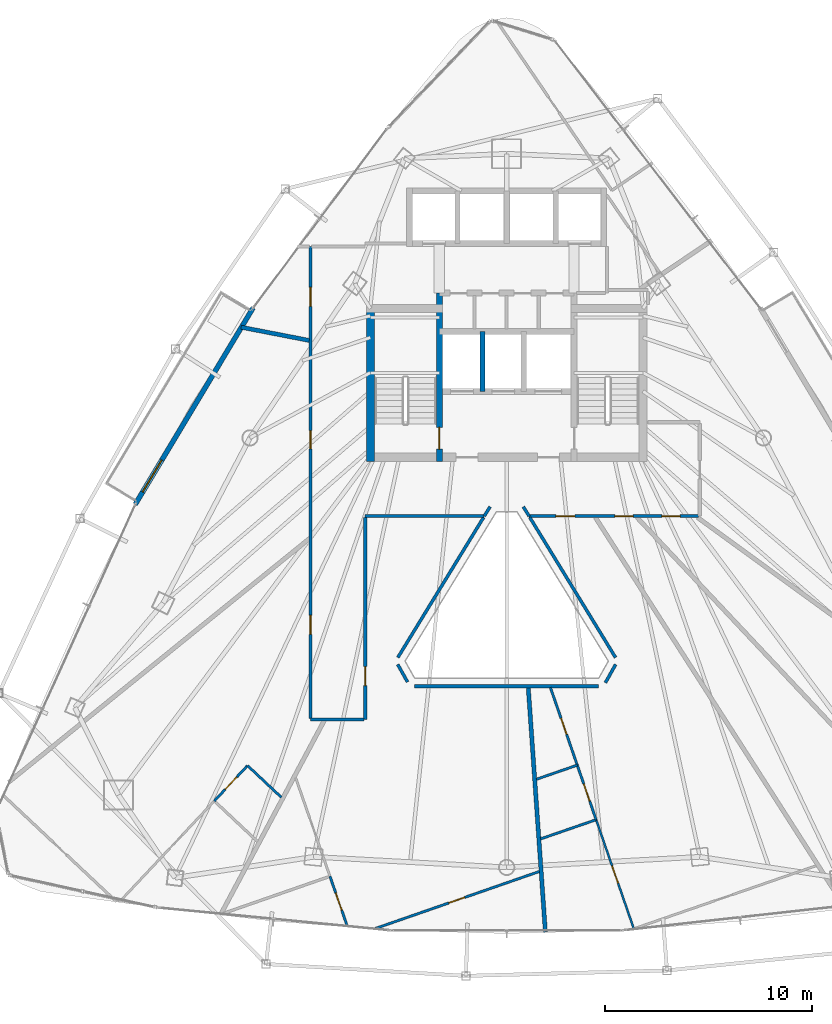
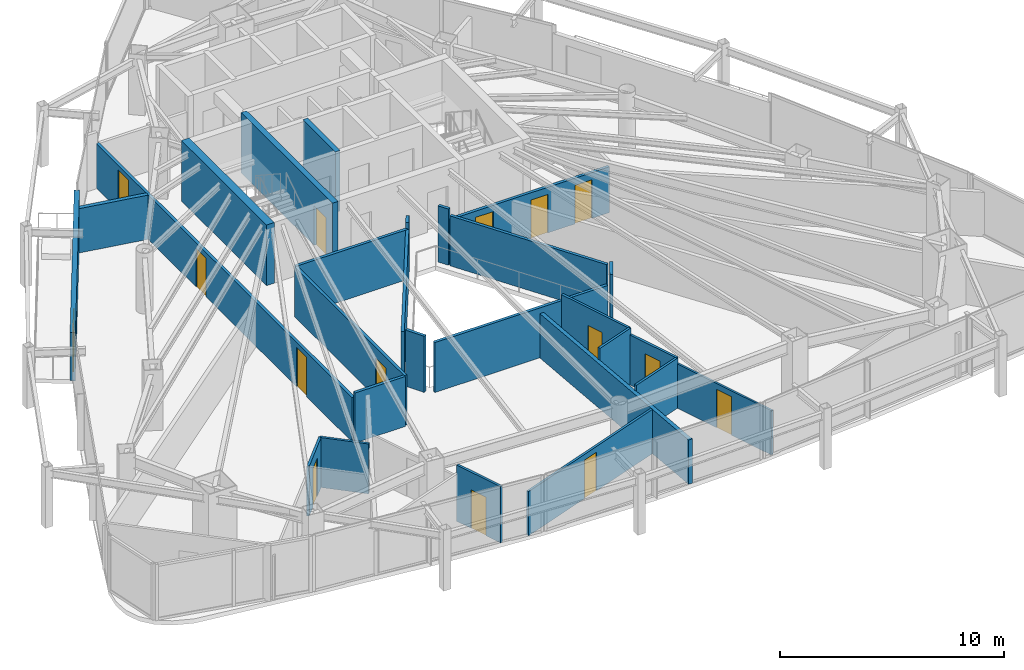
# One storey, part 24 of 29: 27 walls, 15 doors, 15 openings.
"""IFC4 building model written with IfcOpenShell, lengths in metres."""

import ifcopenshell
import ifcopenshell.guid

model = None  # the IFC model being written
_history = None  # IfcOwnerHistory: only IFC2X3 demands one
_inside = {}  # id of a spatial element -> (the spatial element, [elements in it])
_under = {}  # id of a project, library or spatial element -> (it, [spatial elements below it])
_declared = {}  # id of a project -> (the project, [libraries it declares])
_typed = {}  # id of a type object -> (the type object, [elements of that type])
_made_of = {}  # id of a material, layer set ... -> (it, [elements and type objects made of it])


def new_model(schema):
    """Start an empty IFC model of exactly this schema.

    Asked for "IFC4X3", IfcOpenShell would pick the latest addendum, in which some entities
    have other attributes; the version numbers below select the first issue.
    IFC2X3 requires an IfcOwnerHistory on every rooted entity: one is made here for all.
    """
    global model, _history
    if schema == "IFC4X3":
        model = ifcopenshell.file(schema_version=(4, 3, 0, 0))
    else:
        model = ifcopenshell.file(schema=schema)
    _inside.clear()
    _under.clear()
    _declared.clear()
    _typed.clear()
    _made_of.clear()
    _history = None
    if model.schema == "IFC2X3":
        org = make("IfcOrganization", Name="unknown")
        user = make(
            "IfcPersonAndOrganization",
            ThePerson=make("IfcPerson", FamilyName="unknown"),
            TheOrganization=org,
        )
        app = make(
            "IfcApplication",
            ApplicationDeveloper=org,
            Version="unknown",
            ApplicationFullName="unknown",
            ApplicationIdentifier="unknown",
        )
        _history = make(
            "IfcOwnerHistory",
            OwningUser=user,
            OwningApplication=app,
            ChangeAction="ADDED",
            CreationDate=0,
        )
    return model


def make(cls, **values):
    """One entity of the class cls with the attributes given. An attribute that is None is left unset."""
    return model.create_entity(
        cls, **{name: value for name, value in values.items() if value is not None}
    )


def rooted(cls, **values):
    """An entity with a GlobalId (a new one), such as an element, a storey or a relation."""
    return make(cls, GlobalId=ifcopenshell.guid.new(), OwnerHistory=_history, **values)


def si_unit(unit_type, name, prefix=None):
    """IfcSIUnit, for example si_unit("LENGTHUNIT", "METRE", prefix="MILLI")."""
    return make("IfcSIUnit", UnitType=unit_type, Prefix=prefix, Name=name)


def assignment(units):
    """IfcUnitAssignment: the units of a project."""
    return None if units is None else make("IfcUnitAssignment", Units=units)


def point(xyz):
    """IfcCartesianPoint."""
    return None if xyz is None else make("IfcCartesianPoint", Coordinates=xyz)


def direction(xyz):
    """IfcDirection."""
    return None if xyz is None else make("IfcDirection", DirectionRatios=xyz)


def frame(location, z_axis=None, x_axis=None):
    """IfcAxis2Placement3D, a coordinate frame: its origin and axes. An axis left out is left unset."""
    return make(
        "IfcAxis2Placement3D",
        Location=point(location),
        Axis=direction(z_axis),
        RefDirection=direction(x_axis),
    )


def frame_2d(location, x_axis=None):
    """IfcAxis2Placement2D, a coordinate frame in the plane: its origin and x axis."""
    return make(
        "IfcAxis2Placement2D", Location=point(location), RefDirection=direction(x_axis)
    )


def origin():
    """The frame at (0, 0, 0) with its axes left unset."""
    return frame((0.0, 0.0, 0.0))


def place(relative_to, where):
    """IfcLocalPlacement: puts the frame where relative to a parent placement (None: the world)."""
    return make(
        "IfcLocalPlacement", PlacementRelTo=relative_to, RelativePlacement=where
    )


def context(
    kind, dimensions, precision=None, world=None, true_north=None, identifier=None
):
    """IfcGeometricRepresentationContext, for example the 3D "Model" context."""
    return make(
        "IfcGeometricRepresentationContext",
        ContextIdentifier=identifier,
        ContextType=kind,
        CoordinateSpaceDimension=dimensions,
        Precision=precision,
        WorldCoordinateSystem=world,
        TrueNorth=true_north,
    )


def subcontext(parent, identifier, kind, view, scale=None):
    """IfcGeometricRepresentationSubContext, for example "Body" below "Model"."""
    return make(
        "IfcGeometricRepresentationSubContext",
        ContextIdentifier=identifier,
        ContextType=kind,
        ParentContext=parent,
        TargetScale=scale,
        TargetView=view,
    )


def project(units=None, contexts=None):
    """IfcProject with its units and contexts."""
    return rooted(
        "IfcProject",
        Name="project",
        RepresentationContexts=contexts,
        UnitsInContext=assignment(units),
    )


def spatial(cls, under=None, at=None, **own):
    """A site, building, storey or space (cls), placed at a placement, below another one or the project."""
    s = rooted(cls, ObjectPlacement=at, **own)
    if under is not None:
        _under.setdefault(under.id(), (under, []))[1].append(s)
    return s


def profile(cls, at=None, kind="AREA", **sizes):
    """A parametric profile (cls). Its sizes go by their IFC names, for example OverallWidth=200.0."""
    return make(cls, ProfileType=kind, Position=at, **sizes)


def rectangle(**sizes):
    """IfcRectangleProfileDef."""
    return profile("IfcRectangleProfileDef", **sizes)


def extrude(swept, where, along, depth):
    """IfcExtrudedAreaSolid: the profile swept, set in the frame where, extruded along a direction by depth."""
    return make(
        "IfcExtrudedAreaSolid",
        SweptArea=swept,
        Position=where,
        ExtrudedDirection=direction(along),
        Depth=depth,
    )


def shape(context_of_items, identifier, shape_type, items):
    """IfcShapeRepresentation: the items that make up one representation, for example the "Body"."""
    return make(
        "IfcShapeRepresentation",
        ContextOfItems=context_of_items,
        RepresentationIdentifier=identifier,
        RepresentationType=shape_type,
        Items=items,
    )


def material(Name=None, Category=None):
    """IfcMaterial."""
    return make("IfcMaterial", Name=Name, Category=Category)


def layer(
    of_material, thickness, ventilated=None, Name=None, Category=None, Priority=None
):
    """IfcMaterialLayer: one layer of a wall or slab, of a material (None: an air gap)."""
    return make(
        "IfcMaterialLayer",
        Material=of_material,
        LayerThickness=thickness,
        IsVentilated=ventilated,
        Name=Name,
        Category=Category,
        Priority=Priority,
    )


def layer_set(layers, Name=None):
    """IfcMaterialLayerSet."""
    return make("IfcMaterialLayerSet", MaterialLayers=layers, LayerSetName=Name)


def made_of(thing, what):
    """Note that an element or type object is made of a material, layer set ...; save() writes the relation."""
    if what is not None:
        _made_of.setdefault(what.id(), (what, []))[1].append(thing)
    return thing


def type_object(cls, material=None, **own):
    """A type object (cls), such as IfcWallType, which elements share."""
    return made_of(rooted(cls, **own), material)


def element(
    cls,
    number,
    at=None,
    inside=None,
    cuts=None,
    type_object=None,
    material=None,
    context=None,
    identifier="Body",
    shape_type=None,
    held_by="IfcProductDefinitionShape",
    body=None,
    shapes=None,
    **own,
):
    """One element of the class cls, such as IfcWall. Its Tag is "e" and its number.

    at: its placement. inside: the storey or other place that contains it. cuts: it is an
    opening in that element (IfcRelVoidsElement). A single representation is given by context,
    identifier, shape_type and body (its items); several are given by shapes. held_by: the class
    of the entity that holds the representations. save() writes the other relations.
    """
    e = rooted(cls, Tag="e%d" % number, ObjectPlacement=at, **own)
    if body is not None:
        shapes = [shape(context, identifier, shape_type, body)]
    if shapes is not None:
        e.Representation = make(held_by, Representations=shapes)
    if inside is not None:
        _inside.setdefault(inside.id(), (inside, []))[1].append(e)
    if cuts is not None:
        rooted(
            "IfcRelVoidsElement", RelatingBuildingElement=cuts, RelatedOpeningElement=e
        )
    if type_object is not None:
        _typed.setdefault(type_object.id(), (type_object, []))[1].append(e)
    return made_of(e, material)


def fill(opening, filler):
    """IfcRelFillsElement: the door or window that sits in an opening."""
    return rooted(
        "IfcRelFillsElement",
        RelatingOpeningElement=opening,
        RelatedBuildingElement=filler,
    )


def aggregate(whole, parts):
    """IfcRelAggregates: a whole, such as a stair, and the parts it consists of."""
    return rooted("IfcRelAggregates", RelatingObject=whole, RelatedObjects=parts)


def save(model, path):
    """Write the relations noted so far, then the file.

    IfcRelAggregates (storeys below a building ...), IfcRelContainedInSpatialStructure (elements
    in a storey), IfcRelDefinesByType, IfcRelAssociatesMaterial and IfcRelDeclares: one each for
    every whole, place, type object, material and project.
    """
    for whole, parts in _under.values():
        aggregate(whole, parts)
    for where, things in _inside.values():
        rooted(
            "IfcRelContainedInSpatialStructure",
            RelatedElements=things,
            RelatingStructure=where,
        )
    for kind, things in _typed.values():
        rooted("IfcRelDefinesByType", RelatedObjects=things, RelatingType=kind)
    for what, things in _made_of.values():
        rooted("IfcRelAssociatesMaterial", RelatedObjects=things, RelatingMaterial=what)
    for by, libraries in _declared.values():
        rooted("IfcRelDeclares", RelatingContext=by, RelatedDefinitions=libraries)
    model.write(path)


model = new_model("IFC4")

# Units and contexts
model_context = context("Model", 3, precision=1e-05, world=origin(), true_north=direction((0.0, 1.0)))
body_context = subcontext(model_context, "Body", "Model", "MODEL_VIEW")
ifc_project = project(units=[si_unit("LENGTHUNIT", "METRE"), si_unit("AREAUNIT", "SQUARE_METRE"), si_unit("VOLUMEUNIT", "CUBIC_METRE"), si_unit("PLANEANGLEUNIT", "RADIAN"), si_unit("MASSUNIT", "GRAM", prefix="KILO")], contexts=[model_context])

# Site, building, storey
site_placement = place(None, origin())
site = spatial("IfcSite", under=ifc_project, at=site_placement, CompositionType="ELEMENT")
building_placement = place(site_placement, origin())
building = spatial("IfcBuilding", under=site, at=building_placement, Name="Orvanel Arch Residences", CompositionType="ELEMENT")
storey_placement = place(building_placement, frame((0.0, 0.0, 160.550048828125)))
storey = spatial("IfcBuildingStorey", under=building, at=storey_placement, Name="L45", CompositionType="ELEMENT", Elevation=160.550048828125)

# Wall, opening, door
ifc_material_1 = material(Name="Precast concrete N50 (50 MPa)", Category="concrete")
ifc_layer_1 = layer(ifc_material_1, 0.239990234375)
ifc_layer_set_1 = layer_set([ifc_layer_1], Name="Precast concrete N50 (50 MPa)")
wall_type_1 = type_object("IfcWallType", Name="EW-BAL-240", PredefinedType="SOLIDWALL", material=ifc_layer_set_1)
wall_1_placement = place(storey_placement, frame((20.721923828125, 33.93994140625, 0.0), z_axis=(0.0, 0.0, 1.0), x_axis=(-0.514334017412, -0.85758994778, 0.0)))
wall_1 = element("IfcWall", 1, at=wall_1_placement, inside=storey, type_object=wall_type_1, Name="L45 Balcony Threshold Wall Face 1", PredefinedType="SOLIDWALL", context=body_context, shape_type="SweptSolid", body=[
    extrude(rectangle(XDim=11.099853515625, YDim=0.239990234375, at=frame_2d((5.5498046875, 0.0))), origin(), (0.0, 0.0, 1.0), 2.6240234375),
])
opening_1_placement = place(wall_1_placement, frame((8.60205078125, 0.0, 0.0)))
opening_1 = element("IfcOpeningElement", 2, at=opening_1_placement, cuts=wall_1, Name="Opening DB-180", PredefinedType="OPENING", context=body_context, shape_type="SweptSolid", body=[
    extrude(rectangle(XDim=1.800048828125, YDim=2.199951171875, at=frame_2d((0.89990234375, 1.10009765625))), frame((0.0, 0.1298828125, 0.0), z_axis=(0.0, -1.0, 0.0), x_axis=(1.0, 0.0, 0.0)), (0.0, 0.0, 1.0), 0.260009765625),
])
ifc_material_2 = material(Name="Bronze-anodised aluminium AA6063-T6", Category="aluminium")
door_type_1 = type_object("IfcDoorType", Name="DR-BAL-1800", OperationType="NOTDEFINED", PredefinedType="DOOR", material=ifc_material_2)
door_1_placement = place(opening_1_placement, origin())
door_1 = element("IfcDoor", 3, at=door_1_placement, inside=storey, type_object=door_type_1, Name="DR-L45-BAL-F1 L45 Planted Balcony Access Door Face 1", OperationType="SINGLE_SWING_LEFT", OverallHeight=2.199951171875, OverallWidth=1.800048828125, PredefinedType="DOOR", context=body_context, shape_type="SweptSolid", body=[
    extrude(rectangle(XDim=1.800048828125, YDim=2.199951171875, at=frame_2d((0.89990234375, 1.10009765625))), frame((0.0, 0.02490234375, 0.0), z_axis=(0.0, -1.0, 0.0), x_axis=(1.0, 0.0, 0.0)), (0.0, 0.0, 1.0), 0.050048828125),
])
fill(opening_1, door_1)

# Wall
ifc_material_3 = material(Name="Concrete N50 (50 MPa)", Category="concrete")
ifc_layer_2 = layer(ifc_material_3, 0.25)
ifc_layer_set_2 = layer_set([ifc_layer_2], Name="Concrete N50 (50 MPa)")
wall_type_2 = type_object("IfcWallType", Name="SW-CORE-250", PredefinedType="SHEAR", material=ifc_layer_set_2)
wall_2_placement = place(storey_placement, frame((31.824951171875, 29.889892578125, 0.0), z_axis=(0.0, 0.0, 1.0), x_axis=(0.0, 1.0, 0.0)))
element("IfcWall", 4, at=wall_2_placement, inside=storey, type_object=wall_type_2, Name="L45 Emergency Lift Inter-Shaft Wall F12", PredefinedType="SHEAR", context=body_context, shape_type="SweptSolid", body=[
    extrude(rectangle(XDim=2.900146484375, YDim=0.25, at=frame_2d((1.4501953125, 0.0))), origin(), (0.0, 0.0, 1.0), 3.300048828125),
])

# Wall, opening, door
ifc_material_4 = material(Name="Concrete S65 (65 MPa)", Category="concrete")
ifc_layer_3 = layer(ifc_material_4, 0.280029296875)
ifc_layer_set_3 = layer_set([ifc_layer_3], Name="Concrete S65 (65 MPa)")
wall_type_3 = type_object("IfcWallType", Name="SW-CORE-280", PredefinedType="SHEAR", material=ifc_layer_set_3)
wall_3_placement = place(storey_placement, frame((29.739990234375, 26.5, 0.0), z_axis=(0.0, 0.0, 1.0), x_axis=(0.0, 1.0, 0.0)))
wall_3 = element("IfcWall", 5, at=wall_3_placement, inside=storey, type_object=wall_type_3, Name="L45 West Inner Core Spine Shear Wall", PredefinedType="SHEAR", context=body_context, shape_type="SweptSolid", body=[
    extrude(rectangle(XDim=8.14990234375, YDim=0.280029296875, at=frame_2d((4.074951171875, 0.0))), origin(), (0.0, 0.0, 1.0), 3.300048828125),
])
opening_2_placement = place(wall_3_placement, frame((0.60009765625, 0.0, 0.0)))
opening_2 = element("IfcOpeningElement", 6, at=opening_2_placement, cuts=wall_3, Name="Opening DF-120", PredefinedType="OPENING", context=body_context, shape_type="SweptSolid", body=[
    extrude(rectangle(XDim=1.050048828125, YDim=2.14990234375, at=frame_2d((0.52490234375, 1.074951171875))), frame((0.0, 0.14990234375, 0.0), z_axis=(0.0, -1.0, 0.0), x_axis=(1.0, 0.0, 0.0)), (0.0, 0.0, 1.0), 0.300048828125),
])
ifc_material_5 = material(Name="Galvanised steel fire-resisting door assembly", Category="steel")
door_type_2 = type_object("IfcDoorType", Name="DR-FD120-1050", OperationType="NOTDEFINED", PredefinedType="DOOR", material=ifc_material_5)
door_2_placement = place(opening_2_placement, origin())
door_2 = element("IfcDoor", 7, at=door_2_placement, inside=storey, type_object=door_type_2, Name="DR-L45-ST1 L45 Stair 1 Fire Door", OperationType="SINGLE_SWING_LEFT", OverallHeight=2.14990234375, OverallWidth=1.050048828125, PredefinedType="DOOR", context=body_context, shape_type="SweptSolid", body=[
    extrude(rectangle(XDim=1.050048828125, YDim=2.14990234375, at=frame_2d((0.52490234375, 1.074951171875))), frame((0.0, 0.02490234375, 0.0), z_axis=(0.0, -1.0, 0.0), x_axis=(1.0, 0.0, 0.0)), (0.0, 0.0, 1.0), 0.050048828125),
])
fill(opening_2, door_2)

# Walls
ifc_layer_4 = layer(ifc_material_4, 0.39990234375)
ifc_layer_set_4 = layer_set([ifc_layer_4], Name="Concrete S65 (65 MPa)")
wall_type_4 = type_object("IfcWallType", Name="SW-CORE-400", PredefinedType="SHEAR", material=ifc_layer_set_4)
wall_4_placement = place(storey_placement, frame((26.39990234375, 26.5, 0.0), z_axis=(0.0, 0.0, 1.0), x_axis=(0.0, 1.0, 0.0)))
element("IfcWall", 8, at=wall_4_placement, inside=storey, type_object=wall_type_4, Name="L45 West Stair Shear Wall", PredefinedType="SHEAR", context=body_context, shape_type="SweptSolid", body=[
    extrude(rectangle(XDim=7.60009765625, YDim=0.39990234375, at=frame_2d((3.800048828125, 0.0))), origin(), (0.0, 0.0, 1.0), 3.300048828125),
])
ifc_material_6 = material(Name="Fire-rated plasterboard lined steel stud partition", Category="steel")
ifc_layer_5 = layer(ifc_material_6, 0.14990234375)
ifc_layer_set_5 = layer_set([ifc_layer_5], Name="Fire-rated plasterboard lined steel stud partition")
wall_type_5 = type_object("IfcWallType", Name="W-COR-150", PredefinedType="PARTITIONING", material=ifc_layer_set_5)
wall_5_placement = place(storey_placement, frame((32.197021484375, 24.305908203125, 0.0), z_axis=(0.0, 0.0, 1.0), x_axis=(-0.530039765459, -0.847972786728, 0.0)))
element("IfcWall", 9, at=wall_5_placement, inside=storey, type_object=wall_type_5, Name="L45 Corridor Fire-Rated Partition", PredefinedType="PARTITIONING", context=body_context, shape_type="SweptSolid", body=[
    extrude(rectangle(XDim=0.53759765625, YDim=0.14990234375, at=frame_2d((0.268798828125, 0.0))), origin(), (0.0, 0.0, 1.0), 3.06005859375),
])
wall_6_placement = place(storey_placement, frame((31.912109375, 23.85009765625, 0.0), z_axis=(0.0, 0.0, 1.0), x_axis=(-1.0, 0.0, 0.0)))
element("IfcWall", 10, at=wall_6_placement, inside=storey, type_object=wall_type_5, Name="L45 Corridor Fire-Rated Partition", PredefinedType="PARTITIONING", context=body_context, shape_type="SweptSolid", body=[
    extrude(rectangle(XDim=5.76220703125, YDim=0.14990234375, at=frame_2d((2.881103515625, 0.0))), origin(), (0.0, 0.0, 1.0), 2.720947265625),
])

# Wall, opening, door
wall_7_placement = place(storey_placement, frame((26.14990234375, 23.7900390625, 0.0), z_axis=(0.0, 0.0, 1.0), x_axis=(0.0, -1.0, 0.0)))
wall_7 = element("IfcWall", 11, at=wall_7_placement, inside=storey, type_object=wall_type_5, Name="L45 Corridor Fire-Rated Partition", PredefinedType="PARTITIONING", context=body_context, shape_type="SweptSolid", body=[
    extrude(rectangle(XDim=9.7900390625, YDim=0.14990234375, at=frame_2d((4.89501953125, 0.0))), origin(), (0.0, 0.0, 1.0), 2.720947265625),
])
opening_3_placement = place(wall_7_placement, frame((7.220947265625, 0.0, 0.0)))
opening_3 = element("IfcOpeningElement", 12, at=opening_3_placement, cuts=wall_7, Name="Opening DA-092", PredefinedType="OPENING", context=body_context, shape_type="SweptSolid", body=[
    extrude(rectangle(XDim=0.919921875, YDim=2.14990234375, at=frame_2d((0.4599609375, 1.074951171875))), frame((0.0, 0.0849609375, 0.0), z_axis=(0.0, -1.0, 0.0), x_axis=(1.0, 0.0, 0.0)), (0.0, 0.0, 1.0), 0.169921875),
])
ifc_material_7 = material(Name="Solid-core European oak veneer fire door leaf", Category="wood")
door_type_3 = type_object("IfcDoorType", Name="DR-APT-920", OperationType="NOTDEFINED", PredefinedType="DOOR", material=ifc_material_7)
door_3_placement = place(opening_3_placement, origin())
door_3 = element("IfcDoor", 13, at=door_3_placement, inside=storey, type_object=door_type_3, Name="DR-L45-B-ENT L45 Studio B Entrance Door", OperationType="SINGLE_SWING_LEFT", OverallHeight=2.14990234375, OverallWidth=0.919921875, PredefinedType="DOOR", context=body_context, shape_type="SweptSolid", body=[
    extrude(rectangle(XDim=0.919921875, YDim=2.14990234375, at=frame_2d((0.4599609375, 1.074951171875))), frame((0.0, 0.02490234375, 0.0), z_axis=(0.0, -1.0, 0.0), x_axis=(1.0, 0.0, 0.0)), (0.0, 0.0, 1.0), 0.050048828125),
])
fill(opening_3, door_3)

# Wall
wall_8_placement = place(storey_placement, frame((26.090087890625, 14.0, 0.0), z_axis=(0.0, 0.0, 1.0), x_axis=(-1.0, 0.0, 0.0)))
element("IfcWall", 14, at=wall_8_placement, inside=storey, type_object=wall_type_5, Name="L45 Corridor Fire-Rated Partition", PredefinedType="PARTITIONING", context=body_context, shape_type="SweptSolid", body=[
    extrude(rectangle(XDim=2.590087890625, YDim=0.14990234375, at=frame_2d((1.294921875, 0.0))), origin(), (0.0, 0.0, 1.0), 2.720947265625),
])

# Wall, openings, doors
wall_9_placement = place(storey_placement, frame((23.5, 14.06005859375, 0.0), z_axis=(0.0, 0.0, 1.0), x_axis=(0.0, 1.0, 0.0)))
wall_9 = element("IfcWall", 15, at=wall_9_placement, inside=storey, type_object=wall_type_5, Name="L45 Corridor Fire-Rated Partition", PredefinedType="PARTITIONING", context=body_context, shape_type="SweptSolid", body=[
    extrude(rectangle(XDim=22.83984375, YDim=0.14990234375, at=frame_2d((11.419921875, 0.0))), origin(), (0.0, 0.0, 1.0), 2.412841796875),
])
opening_4_placement = place(wall_9_placement, frame((4.06396484375, 0.0, 0.0)))
opening_4 = element("IfcOpeningElement", 16, at=opening_4_placement, cuts=wall_9, Name="Opening DA-092", PredefinedType="OPENING", context=body_context, shape_type="SweptSolid", body=[
    extrude(rectangle(XDim=0.919921875, YDim=2.14990234375, at=frame_2d((0.4599609375, 1.074951171875))), frame((0.0, 0.0849609375, 0.0), z_axis=(0.0, -1.0, 0.0), x_axis=(1.0, 0.0, 0.0)), (0.0, 0.0, 1.0), 0.169921875),
])
opening_5_placement = place(wall_9_placement, frame((13.047119140625, 0.0, 0.0)))
opening_5 = element("IfcOpeningElement", 17, at=opening_5_placement, cuts=wall_9, Name="Opening DI-088", PredefinedType="OPENING", context=body_context, shape_type="SweptSolid", body=[
    extrude(rectangle(XDim=0.8798828125, YDim=2.10009765625, at=frame_2d((0.43994140625, 1.050048828125))), frame((0.0, 0.0849609375, 0.0), z_axis=(0.0, -1.0, 0.0), x_axis=(1.0, 0.0, 0.0)), (0.0, 0.0, 1.0), 0.169921875),
])
opening_6_placement = place(wall_9_placement, frame((19.952880859375, 0.0, 0.0)))
opening_6 = element("IfcOpeningElement", 18, at=opening_6_placement, cuts=wall_9, Name="Opening DA-092", PredefinedType="OPENING", context=body_context, shape_type="SweptSolid", body=[
    extrude(rectangle(XDim=0.919921875, YDim=2.14990234375, at=frame_2d((0.4599609375, 1.074951171875))), frame((0.0, 0.0849609375, 0.0), z_axis=(0.0, -1.0, 0.0), x_axis=(1.0, 0.0, 0.0)), (0.0, 0.0, 1.0), 0.169921875),
])
door_4_placement = place(opening_4_placement, origin())
door_4 = element("IfcDoor", 19, at=door_4_placement, inside=storey, type_object=door_type_3, Name="DR-L45-C-ENT L45 Flat C Entrance Door", OperationType="SINGLE_SWING_RIGHT", OverallHeight=2.14990234375, OverallWidth=0.919921875, PredefinedType="DOOR", context=body_context, shape_type="SweptSolid", body=[
    extrude(rectangle(XDim=0.919921875, YDim=2.14990234375, at=frame_2d((0.4599609375, 1.074951171875))), frame((0.0, 0.02490234375, 0.0), z_axis=(0.0, -1.0, 0.0), x_axis=(1.0, 0.0, 0.0)), (0.0, 0.0, 1.0), 0.050048828125),
])
fill(opening_4, door_4)
door_5_placement = place(opening_6_placement, origin())
door_5 = element("IfcDoor", 20, at=door_5_placement, inside=storey, type_object=door_type_3, Name="DR-L45-F-ENT L45 Studio F Entrance Door", OperationType="SINGLE_SWING_LEFT", OverallHeight=2.14990234375, OverallWidth=0.919921875, PredefinedType="DOOR", context=body_context, shape_type="SweptSolid", body=[
    extrude(rectangle(XDim=0.919921875, YDim=2.14990234375, at=frame_2d((0.4599609375, 1.074951171875))), frame((0.0, 0.02490234375, 0.0), z_axis=(0.0, -1.0, 0.0), x_axis=(1.0, 0.0, 0.0)), (0.0, 0.0, 1.0), 0.050048828125),
])
fill(opening_6, door_5)
door_type_4 = type_object("IfcDoorType", Name="DR-INT-880", OperationType="NOTDEFINED", PredefinedType="DOOR", material=ifc_material_7)
door_6_placement = place(opening_5_placement, origin())
door_6 = element("IfcDoor", 21, at=door_6_placement, inside=storey, type_object=door_type_4, Name="DR-L45-SHRD-FB5 L45 Co-Working Study Office E Door", OperationType="SINGLE_SWING_LEFT", OverallHeight=2.10009765625, OverallWidth=0.8798828125, PredefinedType="DOOR", context=body_context, shape_type="SweptSolid", body=[
    extrude(rectangle(XDim=0.8798828125, YDim=2.10009765625, at=frame_2d((0.43994140625, 1.050048828125))), frame((0.0, 0.02490234375, 0.0), z_axis=(0.0, -1.0, 0.0), x_axis=(1.0, 0.0, 0.0)), (0.0, 0.0, 1.0), 0.050048828125),
])
fill(opening_5, door_6)

wall_10_placement = place(storey_placement, frame((42.2900390625, 23.85009765625, 0.0), z_axis=(0.0, 0.0, 1.0), x_axis=(-1.0, 0.0, 0.0)))
wall_10 = element("IfcWall", 22, at=wall_10_placement, inside=storey, type_object=wall_type_5, Name="L45 Corridor Fire-Rated Partition", PredefinedType="PARTITIONING", context=body_context, shape_type="SweptSolid", body=[
    extrude(rectangle(XDim=8.2021484375, YDim=0.14990234375, at=frame_2d((4.10107421875, 0.0))), origin(), (0.0, 0.0, 1.0), 2.491943359375),
])
opening_7_placement = place(wall_10_placement, frame((5.987060546875, 0.0, 0.0)))
opening_7 = element("IfcOpeningElement", 23, at=opening_7_placement, cuts=wall_10, Name="Opening DA-092", PredefinedType="OPENING", context=body_context, shape_type="SweptSolid", body=[
    extrude(rectangle(XDim=0.919921875, YDim=2.14990234375, at=frame_2d((0.4599609375, 1.074951171875))), frame((0.0, 0.0849609375, 0.0), z_axis=(0.0, -1.0, 0.0), x_axis=(1.0, 0.0, 0.0)), (0.0, 0.0, 1.0), 0.169921875),
])
opening_8_placement = place(wall_10_placement, frame((0.89404296875, 0.0, 0.0)))
opening_8 = element("IfcOpeningElement", 24, at=opening_8_placement, cuts=wall_10, Name="Opening DI-088", PredefinedType="OPENING", context=body_context, shape_type="SweptSolid", body=[
    extrude(rectangle(XDim=0.8798828125, YDim=2.10009765625, at=frame_2d((0.43994140625, 1.050048828125))), frame((0.0, 0.0849609375, 0.0), z_axis=(0.0, -1.0, 0.0), x_axis=(1.0, 0.0, 0.0)), (0.0, 0.0, 1.0), 0.169921875),
])
opening_9_placement = place(wall_10_placement, frame((3.1689453125, 0.0, 0.0)))
opening_9 = element("IfcOpeningElement", 25, at=opening_9_placement, cuts=wall_10, Name="Opening DI-088", PredefinedType="OPENING", context=body_context, shape_type="SweptSolid", body=[
    extrude(rectangle(XDim=0.8798828125, YDim=2.10009765625, at=frame_2d((0.43994140625, 1.050048828125))), frame((0.0, 0.0849609375, 0.0), z_axis=(0.0, -1.0, 0.0), x_axis=(1.0, 0.0, 0.0)), (0.0, 0.0, 1.0), 0.169921875),
])
door_7_placement = place(opening_7_placement, origin())
door_7 = element("IfcDoor", 26, at=door_7_placement, inside=storey, type_object=door_type_3, Name="DR-L45-A-ENT L45 Flat A Entrance Door", OperationType="SINGLE_SWING_RIGHT", OverallHeight=2.14990234375, OverallWidth=0.919921875, PredefinedType="DOOR", context=body_context, shape_type="SweptSolid", body=[
    extrude(rectangle(XDim=0.919921875, YDim=2.14990234375, at=frame_2d((0.4599609375, 1.074951171875))), frame((0.0, 0.02490234375, 0.0), z_axis=(0.0, -1.0, 0.0), x_axis=(1.0, 0.0, 0.0)), (0.0, 0.0, 1.0), 0.050048828125),
])
fill(opening_7, door_7)
door_8_placement = place(opening_8_placement, origin())
door_8 = element("IfcDoor", 27, at=door_8_placement, inside=storey, type_object=door_type_4, Name="DR-L45-SHRD-FB7 L45 Co-Working Study Office G Door", OperationType="SINGLE_SWING_LEFT", OverallHeight=2.10009765625, OverallWidth=0.8798828125, PredefinedType="DOOR", context=body_context, shape_type="SweptSolid", body=[
    extrude(rectangle(XDim=0.8798828125, YDim=2.10009765625, at=frame_2d((0.43994140625, 1.050048828125))), frame((0.0, 0.02490234375, 0.0), z_axis=(0.0, -1.0, 0.0), x_axis=(1.0, 0.0, 0.0)), (0.0, 0.0, 1.0), 0.050048828125),
])
fill(opening_8, door_8)
door_9_placement = place(opening_9_placement, origin())
door_9 = element("IfcDoor", 28, at=door_9_placement, inside=storey, type_object=door_type_4, Name="DR-L45-SHRD-FB8 L45 Co-Working Study Office H Door", OperationType="SINGLE_SWING_LEFT", OverallHeight=2.10009765625, OverallWidth=0.8798828125, PredefinedType="DOOR", context=body_context, shape_type="SweptSolid", body=[
    extrude(rectangle(XDim=0.8798828125, YDim=2.10009765625, at=frame_2d((0.43994140625, 1.050048828125))), frame((0.0, 0.02490234375, 0.0), z_axis=(0.0, -1.0, 0.0), x_axis=(1.0, 0.0, 0.0)), (0.0, 0.0, 1.0), 0.050048828125),
])
fill(opening_9, door_9)

# Walls
wall_11_placement = place(storey_placement, frame((34.087890625, 23.85009765625, 0.0), z_axis=(0.0, 0.0, 1.0), x_axis=(-0.530039765459, 0.847972786728, 0.0)))
element("IfcWall", 29, at=wall_11_placement, inside=storey, type_object=wall_type_5, Name="L45 Corridor Fire-Rated Partition", PredefinedType="PARTITIONING", context=body_context, shape_type="SweptSolid", body=[
    extrude(rectangle(XDim=0.53759765625, YDim=0.14990234375, at=frame_2d((0.268798828125, 0.0))), origin(), (0.0, 0.0, 1.0), 3.06005859375),
])
wall_12_placement = place(storey_placement, frame((34.118896484375, 23.7900390625, 0.0), z_axis=(0.0, 0.0, 1.0), x_axis=(0.521942869651, -0.852980445744, 0.0)))
element("IfcWall", 30, at=wall_12_placement, inside=storey, type_object=wall_type_5, Name="L45 Atrium Overlook Glazed Partition", PredefinedType="PARTITIONING", context=body_context, shape_type="SweptSolid", body=[
    extrude(rectangle(XDim=7.953125, YDim=0.14990234375, at=frame_2d((3.9765625, 0.0))), origin(), (0.0, 0.0, 1.0), 2.720947265625),
])
wall_13_placement = place(storey_placement, frame((38.27587890625, 16.669921875, 0.0), z_axis=(0.0, 0.0, 1.0), x_axis=(-0.489067077696, -0.872246177127, 0.0)))
element("IfcWall", 31, at=wall_13_placement, inside=storey, type_object=wall_type_5, Name="L45 Atrium Overlook Glazed Partition", PredefinedType="PARTITIONING", context=body_context, shape_type="SweptSolid", body=[
    extrude(rectangle(XDim=1.009765625, YDim=0.14990234375, at=frame_2d((0.5048828125, 0.0))), origin(), (0.0, 0.0, 1.0), 3.06005859375),
])
wall_14_placement = place(storey_placement, frame((37.452880859375, 15.616943359375, 0.0), z_axis=(0.0, 0.0, 1.0), x_axis=(-1.0, 0.0, 0.0)))
element("IfcWall", 32, at=wall_14_placement, inside=storey, type_object=wall_type_5, Name="L45 Atrium Overlook Glazed Partition", PredefinedType="PARTITIONING", context=body_context, shape_type="SweptSolid", body=[
    extrude(rectangle(XDim=8.90576171875, YDim=0.14990234375, at=frame_2d((4.452880859375, 0.0))), origin(), (0.0, 0.0, 1.0), 2.720947265625),
])
wall_15_placement = place(storey_placement, frame((28.197998046875, 15.821044921875, 0.0), z_axis=(0.0, 0.0, 1.0), x_axis=(-0.487432951818, 0.873160419099, 0.0)))
element("IfcWall", 33, at=wall_15_placement, inside=storey, type_object=wall_type_5, Name="L45 Atrium Overlook Glazed Partition", PredefinedType="PARTITIONING", context=body_context, shape_type="SweptSolid", body=[
    extrude(rectangle(XDim=0.97216796875, YDim=0.14990234375, at=frame_2d((0.486083984375, 0.0))), origin(), (0.0, 0.0, 1.0), 3.06005859375),
])
wall_16_placement = place(storey_placement, frame((27.72998046875, 17.006103515625, 0.0), z_axis=(0.0, 0.0, 1.0), x_axis=(0.521942869651, 0.852980445744, 0.0)))
element("IfcWall", 34, at=wall_16_placement, inside=storey, type_object=wall_type_5, Name="L45 Atrium Overlook Glazed Partition", PredefinedType="PARTITIONING", context=body_context, shape_type="SweptSolid", body=[
    extrude(rectangle(XDim=7.953125, YDim=0.14990234375, at=frame_2d((3.9765625, 0.0))), origin(), (0.0, 0.0, 1.0), 2.720947265625),
])
ifc_layer_6 = layer(ifc_material_6, 0.199951171875)
ifc_layer_set_6 = layer_set([ifc_layer_6], Name="Fire-rated plasterboard lined steel stud partition")
wall_type_6 = type_object("IfcWallType", Name="W-DEM-200", PredefinedType="PARTITIONING", material=ifc_layer_set_6)
wall_17_placement = place(storey_placement, frame((34.8740234375, 3.7041015625, 0.0), z_axis=(0.0, 0.0, 1.0), x_axis=(-0.069779440561, 0.997562443998, 0.0)))
element("IfcWall", 35, at=wall_17_placement, inside=storey, type_object=wall_type_6, Name="L45 Inter-Tenancy Acoustic Demising Wall", PredefinedType="PARTITIONING", context=body_context, shape_type="SweptSolid", body=[
    extrude(rectangle(XDim=11.8818359375, YDim=0.199951171875, at=frame_2d((5.94091796875, 0.0))), origin(), (0.0, 0.0, 1.0), 2.412841796875),
])
wall_18_placement = place(storey_placement, frame((20.14111328125, 33.0, 0.0), z_axis=(0.0, 0.0, 1.0), x_axis=(0.981579076432, -0.191056318163, 0.0)))
element("IfcWall", 36, at=wall_18_placement, inside=storey, type_object=wall_type_6, Name="L45 Inter-Tenancy Acoustic Demising Wall", PredefinedType="PARTITIONING", context=body_context, shape_type="SweptSolid", body=[
    extrude(rectangle(XDim=3.36083984375, YDim=0.199951171875, at=frame_2d((1.680419921875, 0.0))), origin(), (0.0, 0.0, 1.0), 2.412841796875),
])

# Wall, opening, door
ifc_material_8 = material(Name="Acoustic plasterboard lined twin-stud partition", Category="gypsum")
ifc_layer_7 = layer(ifc_material_8, 0.10009765625)
ifc_layer_set_7 = layer_set([ifc_layer_7], Name="Acoustic plasterboard lined twin-stud partition")
wall_type_7 = type_object("IfcWallType", Name="W-INT-100", PredefinedType="PARTITIONING", material=ifc_layer_set_7)
wall_19_placement = place(storey_placement, frame((39.1640625, 3.847900390625, 0.0), z_axis=(0.0, 0.0, 1.0), x_axis=(-0.326778856457, 0.945100830056, 0.0)))
wall_19 = element("IfcWall", 37, at=wall_19_placement, inside=storey, type_object=wall_type_7, Name="L45 Flat A Internal Partition", PredefinedType="PARTITIONING", context=body_context, shape_type="SweptSolid", body=[
    extrude(rectangle(XDim=5.6123046875, YDim=0.10009765625, at=frame_2d((2.80615234375, 0.0))), origin(), (0.0, 0.0, 1.0), 2.412841796875),
])
opening_10_placement = place(wall_19_placement, frame((2.365966796875, 0.0, 0.0)))
opening_10 = element("IfcOpeningElement", 38, at=opening_10_placement, cuts=wall_19, Name="Opening DI-088", PredefinedType="OPENING", context=body_context, shape_type="SweptSolid", body=[
    extrude(rectangle(XDim=0.8798828125, YDim=2.10009765625, at=frame_2d((0.43994140625, 1.050048828125))), frame((0.0, 0.06005859375, 0.0), z_axis=(0.0, -1.0, 0.0), x_axis=(1.0, 0.0, 0.0)), (0.0, 0.0, 1.0), 0.1201171875),
])
door_10_placement = place(opening_10_placement, origin())
door_10 = element("IfcDoor", 39, at=door_10_placement, inside=storey, type_object=door_type_4, Name="DR-L45-A-BED1 L45 Flat A Bedroom 1 Door", OperationType="SINGLE_SWING_LEFT", OverallHeight=2.10009765625, OverallWidth=0.8798828125, PredefinedType="DOOR", context=body_context, shape_type="SweptSolid", body=[
    extrude(rectangle(XDim=0.8798828125, YDim=2.10009765625, at=frame_2d((0.43994140625, 1.050048828125))), frame((0.0, 0.02490234375, 0.0), z_axis=(0.0, -1.0, 0.0), x_axis=(1.0, 0.0, 0.0)), (0.0, 0.0, 1.0), 0.050048828125),
])
fill(opening_10, door_10)

ifc_layer_8 = layer(ifc_material_8, 0.1201171875)
ifc_layer_set_8 = layer_set([ifc_layer_8], Name="Acoustic plasterboard lined twin-stud partition")
wall_type_8 = type_object("IfcWallType", Name="W-WET-120", PredefinedType="PARTITIONING", material=ifc_layer_set_8)
wall_20_placement = place(storey_placement, frame((36.4169921875, 11.7939453125, 0.0), z_axis=(0.0, 0.0, 1.0), x_axis=(-0.326767254884, 0.945104841346, 0.0)))
wall_20 = element("IfcWall", 40, at=wall_20_placement, inside=storey, type_object=wall_type_8, Name="L45 Flat A Bathroom Partition", PredefinedType="PARTITIONING", context=body_context, shape_type="SweptSolid", body=[
    extrude(rectangle(XDim=3.9814453125, YDim=0.1201171875, at=frame_2d((1.99072265625, 0.0))), origin(), (0.0, 0.0, 1.0), 3.06005859375),
])
opening_11_placement = place(wall_20_placement, frame((1.5810546875, 0.0, 0.0)))
opening_11 = element("IfcOpeningElement", 41, at=opening_11_placement, cuts=wall_20, Name="Opening DW-082", PredefinedType="OPENING", context=body_context, shape_type="SweptSolid", body=[
    extrude(rectangle(XDim=0.820068359375, YDim=2.10009765625, at=frame_2d((0.41015625, 1.050048828125))), frame((0.0, 0.070068359375, 0.0), z_axis=(0.0, -1.0, 0.0), x_axis=(1.0, 0.0, 0.0)), (0.0, 0.0, 1.0), 0.14013671875),
])
door_type_5 = type_object("IfcDoorType", Name="DR-WET-820", OperationType="NOTDEFINED", PredefinedType="DOOR", material=ifc_material_7)
door_11_placement = place(opening_11_placement, origin())
door_11 = element("IfcDoor", 42, at=door_11_placement, inside=storey, type_object=door_type_5, Name="DR-L45-A-BATH L45 Flat A Bathroom Door", OperationType="SINGLE_SWING_RIGHT", OverallHeight=2.10009765625, OverallWidth=0.820068359375, PredefinedType="DOOR", context=body_context, shape_type="SweptSolid", body=[
    extrude(rectangle(XDim=0.820068359375, YDim=2.10009765625, at=frame_2d((0.41015625, 1.050048828125))), frame((0.0, 0.02490234375, 0.0), z_axis=(0.0, -1.0, 0.0), x_axis=(1.0, 0.0, 0.0)), (0.0, 0.0, 1.0), 0.050048828125),
])
fill(opening_11, door_11)

wall_21_placement = place(storey_placement, frame((37.330078125, 9.152099609375, 0.0), z_axis=(0.0, 0.0, 1.0), x_axis=(-0.326663542442, 0.945140693251, 0.0)))
wall_21 = element("IfcWall", 43, at=wall_21_placement, inside=storey, type_object=wall_type_8, Name="L45 Flat A Internal Partition", PredefinedType="PARTITIONING", context=body_context, shape_type="SweptSolid", body=[
    extrude(rectangle(XDim=2.795166015625, YDim=0.1201171875, at=frame_2d((1.3974609375, 0.0))), origin(), (0.0, 0.0, 1.0), 2.720947265625),
])
opening_12_placement = place(wall_21_placement, frame((0.9580078125, 0.0, 0.0)))
opening_12 = element("IfcOpeningElement", 44, at=opening_12_placement, cuts=wall_21, Name="Opening DI-088", PredefinedType="OPENING", context=body_context, shape_type="SweptSolid", body=[
    extrude(rectangle(XDim=0.8798828125, YDim=2.10009765625, at=frame_2d((0.43994140625, 1.050048828125))), frame((0.0, 0.070068359375, 0.0), z_axis=(0.0, -1.0, 0.0), x_axis=(1.0, 0.0, 0.0)), (0.0, 0.0, 1.0), 0.14013671875),
])
door_12_placement = place(opening_12_placement, origin())
door_12 = element("IfcDoor", 45, at=door_12_placement, inside=storey, type_object=door_type_4, Name="DR-L45-A-KIT L45 Flat A Kitchen Door", OperationType="SINGLE_SWING_LEFT", OverallHeight=2.10009765625, OverallWidth=0.8798828125, PredefinedType="DOOR", context=body_context, shape_type="SweptSolid", body=[
    extrude(rectangle(XDim=0.8798828125, YDim=2.10009765625, at=frame_2d((0.43994140625, 1.050048828125))), frame((0.0, 0.02490234375, 0.0), z_axis=(0.0, -1.0, 0.0), x_axis=(1.0, 0.0, 0.0)), (0.0, 0.0, 1.0), 0.050048828125),
])
fill(opening_12, door_12)

# Walls
wall_22_placement = place(storey_placement, frame((36.4169921875, 11.7939453125, 0.0), z_axis=(0.0, 0.0, 1.0), x_axis=(-0.945158093584, -0.326613193446, 0.0)))
element("IfcWall", 46, at=wall_22_placement, inside=storey, type_object=wall_type_8, Name="L45 Flat A Bathroom Partition", PredefinedType="PARTITIONING", context=body_context, shape_type="SweptSolid", body=[
    extrude(rectangle(XDim=2.0908203125, YDim=0.1201171875, at=frame_2d((1.04541015625, 0.0))), origin(), (0.0, 0.0, 1.0), 3.06005859375),
])
wall_23_placement = place(storey_placement, frame((37.330078125, 9.152099609375, 0.0), z_axis=(0.0, 0.0, 1.0), x_axis=(-0.945086078656, -0.326821516933, 0.0)))
element("IfcWall", 47, at=wall_23_placement, inside=storey, type_object=wall_type_8, Name="L45 Flat A Internal Partition", PredefinedType="PARTITIONING", context=body_context, shape_type="SweptSolid", body=[
    extrude(rectangle(XDim=2.84326171875, YDim=0.1201171875, at=frame_2d((1.421630859375, 0.0))), origin(), (0.0, 0.0, 1.0), 2.720947265625),
])

# Wall, opening, door
wall_24_placement = place(storey_placement, frame((34.5830078125, 6.64599609375, 0.0), z_axis=(0.0, 0.0, 1.0), x_axis=(-0.944539899325, -0.328396678704, 0.0)))
wall_24 = element("IfcWall", 48, at=wall_24_placement, inside=storey, type_object=wall_type_8, Name="L45 Studio B Bathroom Partition", PredefinedType="PARTITIONING", context=body_context, shape_type="SweptSolid", body=[
    extrude(rectangle(XDim=8.480224609375, YDim=0.1201171875, at=frame_2d((4.240234375, 0.0))), origin(), (0.0, 0.0, 1.0), 2.412841796875),
])
opening_13_placement = place(wall_24_placement, frame((3.830078125, 0.0, 0.0)))
opening_13 = element("IfcOpeningElement", 49, at=opening_13_placement, cuts=wall_24, Name="Opening DW-082", PredefinedType="OPENING", context=body_context, shape_type="SweptSolid", body=[
    extrude(rectangle(XDim=0.820068359375, YDim=2.10009765625, at=frame_2d((0.41015625, 1.050048828125))), frame((0.0, 0.070068359375, 0.0), z_axis=(0.0, -1.0, 0.0), x_axis=(1.0, 0.0, 0.0)), (0.0, 0.0, 1.0), 0.14013671875),
])
door_13_placement = place(opening_13_placement, origin())
door_13 = element("IfcDoor", 50, at=door_13_placement, inside=storey, type_object=door_type_5, Name="DR-L45-B-BATH L45 Studio B Bathroom Door", OperationType="SINGLE_SWING_RIGHT", OverallHeight=2.10009765625, OverallWidth=0.820068359375, PredefinedType="DOOR", context=body_context, shape_type="SweptSolid", body=[
    extrude(rectangle(XDim=0.820068359375, YDim=2.10009765625, at=frame_2d((0.41015625, 1.050048828125))), frame((0.0, 0.02490234375, 0.0), z_axis=(0.0, -1.0, 0.0), x_axis=(1.0, 0.0, 0.0)), (0.0, 0.0, 1.0), 0.050048828125),
])
fill(opening_13, door_13)

wall_25_placement = place(storey_placement, frame((25.291015625, 3.968994140625, 0.0), z_axis=(0.0, 0.0, 1.0), x_axis=(-0.328440044658, 0.944524820778, 0.0)))
wall_25 = element("IfcWall", 51, at=wall_25_placement, inside=storey, type_object=wall_type_8, Name="L45 Studio B Internal Partition", PredefinedType="PARTITIONING", context=body_context, shape_type="SweptSolid", body=[
    extrude(rectangle(XDim=2.585205078125, YDim=0.1201171875, at=frame_2d((1.29248046875, 0.0))), origin(), (0.0, 0.0, 1.0), 3.06005859375),
])
opening_14_placement = place(wall_25_placement, frame((0.85302734375, 0.0, 0.0)))
opening_14 = element("IfcOpeningElement", 52, at=opening_14_placement, cuts=wall_25, Name="Opening DI-088", PredefinedType="OPENING", context=body_context, shape_type="SweptSolid", body=[
    extrude(rectangle(XDim=0.8798828125, YDim=2.10009765625, at=frame_2d((0.43994140625, 1.050048828125))), frame((0.0, 0.070068359375, 0.0), z_axis=(0.0, -1.0, 0.0), x_axis=(1.0, 0.0, 0.0)), (0.0, 0.0, 1.0), 0.14013671875),
])
door_14_placement = place(opening_14_placement, origin())
door_14 = element("IfcDoor", 53, at=door_14_placement, inside=storey, type_object=door_type_4, Name="DR-L45-B-KIT L45 Studio B Kitchenette Door", OperationType="SINGLE_SWING_LEFT", OverallHeight=2.10009765625, OverallWidth=0.8798828125, PredefinedType="DOOR", context=body_context, shape_type="SweptSolid", body=[
    extrude(rectangle(XDim=0.8798828125, YDim=2.10009765625, at=frame_2d((0.43994140625, 1.050048828125))), frame((0.0, 0.02490234375, 0.0), z_axis=(0.0, -1.0, 0.0), x_axis=(1.0, 0.0, 0.0)), (0.0, 0.0, 1.0), 0.050048828125),
])
fill(opening_14, door_14)

# Wall
wall_26_placement = place(storey_placement, frame((22.0849609375, 10.238037109375, 0.0), z_axis=(0.0, 0.0, 1.0), x_axis=(-0.728663547615, 0.684871837921, 0.0)))
element("IfcWall", 54, at=wall_26_placement, inside=storey, type_object=wall_type_8, Name="L45 Flat C Bathroom Partition", PredefinedType="PARTITIONING", context=body_context, shape_type="SweptSolid", body=[
    extrude(rectangle(XDim=2.2412109375, YDim=0.1201171875, at=frame_2d((1.12060546875, 0.0))), origin(), (0.0, 0.0, 1.0), 2.720947265625),
])

# Wall, opening, door
wall_27_placement = place(storey_placement, frame((20.451904296875, 11.77294921875, 0.0), z_axis=(0.0, 0.0, 1.0), x_axis=(-0.684631978878, -0.728888917118, 0.0)))
wall_27 = element("IfcWall", 55, at=wall_27_placement, inside=storey, type_object=wall_type_8, Name="L45 Flat C Bathroom Partition", PredefinedType="PARTITIONING", context=body_context, shape_type="SweptSolid", body=[
    extrude(rectangle(XDim=2.35009765625, YDim=0.1201171875, at=frame_2d((1.175048828125, 0.0))), origin(), (0.0, 0.0, 1.0), 2.720947265625),
])
opening_15_placement = place(wall_27_placement, frame((0.764892578125, 0.0, 0.0)))
opening_15 = element("IfcOpeningElement", 56, at=opening_15_placement, cuts=wall_27, Name="Opening DW-082", PredefinedType="OPENING", context=body_context, shape_type="SweptSolid", body=[
    extrude(rectangle(XDim=0.820068359375, YDim=2.10009765625, at=frame_2d((0.41015625, 1.050048828125))), frame((0.0, 0.070068359375, 0.0), z_axis=(0.0, -1.0, 0.0), x_axis=(1.0, 0.0, 0.0)), (0.0, 0.0, 1.0), 0.14013671875),
])
door_15_placement = place(opening_15_placement, origin())
door_15 = element("IfcDoor", 57, at=door_15_placement, inside=storey, type_object=door_type_5, Name="DR-L45-C-BATH L45 Flat C Bathroom Door", OperationType="SINGLE_SWING_RIGHT", OverallHeight=2.10009765625, OverallWidth=0.820068359375, PredefinedType="DOOR", context=body_context, shape_type="SweptSolid", body=[
    extrude(rectangle(XDim=0.820068359375, YDim=2.10009765625, at=frame_2d((0.41015625, 1.050048828125))), frame((0.0, 0.02490234375, 0.0), z_axis=(0.0, -1.0, 0.0), x_axis=(1.0, 0.0, 0.0)), (0.0, 0.0, 1.0), 0.050048828125),
])
fill(opening_15, door_15)

save(model, "model.ifc")
